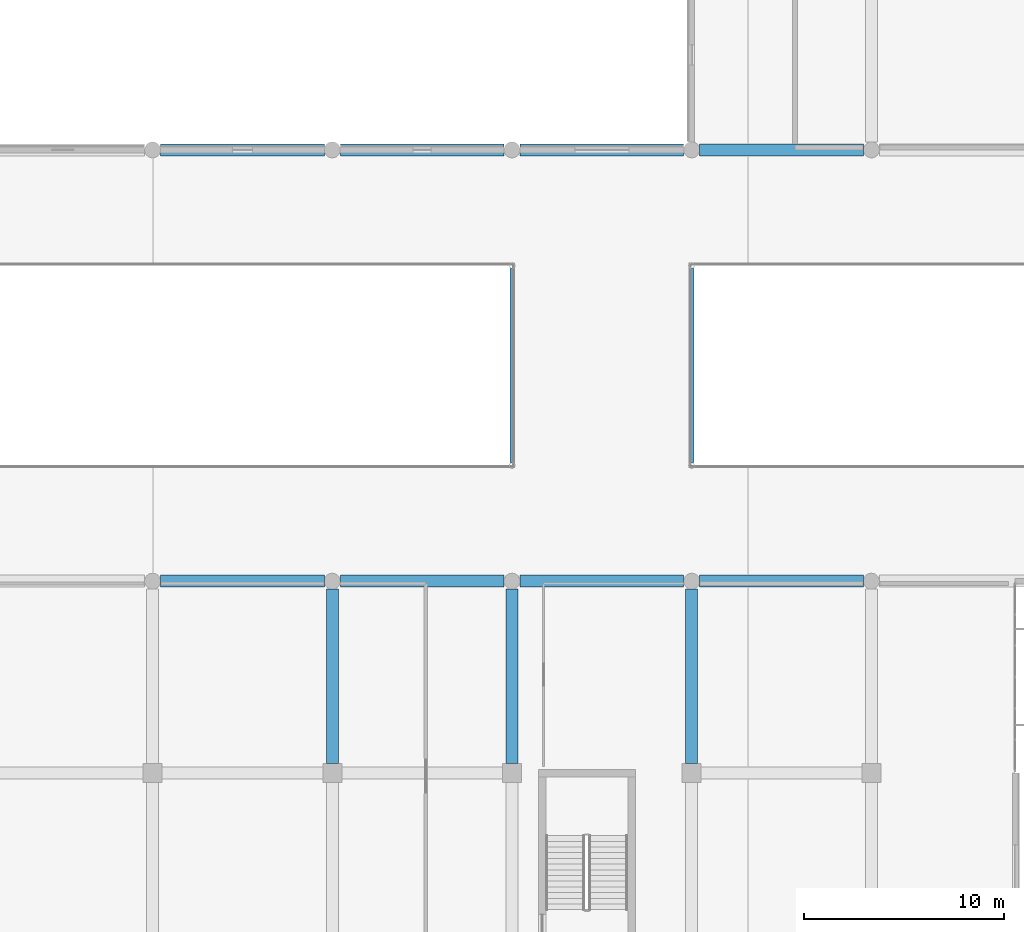
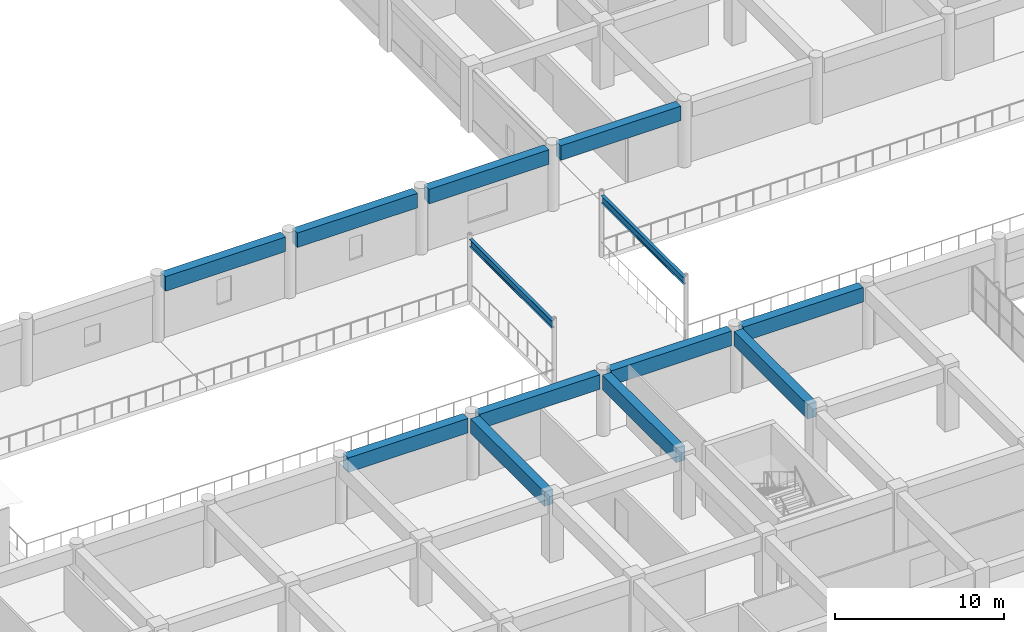
# One storey, part 25 of 86: 13 beams.
"""IFC4 building model written with IfcOpenShell, lengths in metres."""

from ifc_helpers import new_model, si_unit, direction, frame, origin, origin_2d, place, context, subcontext, project, spatial, rectangle, i_section, extrude, material, material_profile, profile_set, type_object, element, save


model = new_model("IFC4")

# Units and contexts
model_context = context("Model", 3, precision=1e-05, world=origin(), true_north=direction((0.0, 1.0)))
body_context = subcontext(model_context, "Body", "Model", "MODEL_VIEW")
ifc_project = project(units=[si_unit("LENGTHUNIT", "METRE"), si_unit("AREAUNIT", "SQUARE_METRE"), si_unit("VOLUMEUNIT", "CUBIC_METRE"), si_unit("PLANEANGLEUNIT", "RADIAN"), si_unit("MASSUNIT", "GRAM", prefix="KILO")], contexts=[model_context])

# Site, building, storey
site_placement = place(None, origin())
site = spatial("IfcSite", under=ifc_project, at=site_placement, CompositionType="ELEMENT")
building_placement = place(site_placement, origin())
building = spatial("IfcBuilding", under=site, at=building_placement, Name="Cendralis Terraced Arcade", CompositionType="ELEMENT")
storey_placement = place(building_placement, frame((0.0, 0.0, 5.39990234375)))
storey = spatial("IfcBuildingStorey", under=building, at=storey_placement, Name="L01", CompositionType="ELEMENT", Elevation=5.39990234375)

# Beams
ifc_material_1 = material(Name="Concrete f'c 35 MPa", Category="concrete")
ifc_material_profile_1 = material_profile(ifc_material_1, rectangle(XDim=0.60009765625, YDim=1.050048828125, at=origin_2d()), Name="RC-BM-600x1050", Category="LoadBearing")
ifc_profile_set_1 = profile_set([ifc_material_profile_1], Name="Concrete f'c 35 MPa")
beam_type_1 = type_object("IfcBeamType", Name="BM-600x1050", PredefinedType="JOIST", material=ifc_profile_set_1)
for number, where, z_axis, x_axis, name in (
    (1, (94.60009765625, 38.39990234375, 3.97998046875), (1.0, 0.0, 0.0), (0.0, 1.0, 0.0), "Reinforced Concrete Frame Beam BM-X-L02-E-11_12"),
    (2, (103.60009765625, 38.39990234375, 3.97998046875), (1.0, 0.0, 0.0), (0.0, 1.0, 0.0), "Reinforced Concrete Frame Beam BM-X-L02-E-12_13"),
    (3, (112.60009765625, 38.39990234375, 3.97998046875), (1.0, 0.0, 0.0), (0.0, 1.0, 0.0), "Reinforced Concrete Frame Beam BM-X-L02-E-13_14"),
    (4, (121.60009765625, 38.39990234375, 3.97998046875), (1.0, 0.0, 0.0), (0.0, 1.0, 0.0), "Reinforced Concrete Frame Beam BM-X-L02-E-14_15"),
    (5, (94.60009765625, 60.0, 3.97998046875), (1.0, 0.0, 0.0), (0.0, 1.0, 0.0), "Reinforced Concrete Frame Beam BM-X-L02-G-11_12"),
    (6, (103.60009765625, 60.0, 3.97998046875), (1.0, 0.0, 0.0), (0.0, 1.0, 0.0), "Reinforced Concrete Frame Beam BM-X-L02-G-12_13"),
    (7, (112.60009765625, 60.0, 3.97998046875), (1.0, 0.0, 0.0), (0.0, 1.0, 0.0), "Reinforced Concrete Frame Beam BM-X-L02-G-13_14"),
    (8, (121.60009765625, 60.0, 3.97998046875), (1.0, 0.0, 0.0), (0.0, 1.0, 0.0), "Reinforced Concrete Frame Beam BM-X-L02-G-14_15"),
):
    element("IfcBeam", number, at=place(storey_placement, frame(where, z_axis=z_axis, x_axis=x_axis)), inside=storey, type_object=beam_type_1, Name=name, PredefinedType="JOIST", context=body_context, shape_type="SweptSolid", body=[
        extrude(rectangle(XDim=0.60009765625, YDim=1.050048828125, at=origin_2d()), origin(), (0.0, 0.0, 1.0), 8.199951171875),
    ])
for number, where, z_axis, x_axis, name in (
    (9, (103.199951171875, 29.27490234375, 3.97998046875), (0.0, 1.0, 0.0), (-1.0, 0.0, 0.0), "Reinforced Concrete Frame Beam BM-Y-L02-12-D_E"),
    (10, (112.199951171875, 29.27490234375, 3.97998046875), (0.0, 1.0, 0.0), (-1.0, 0.0, 0.0), "Reinforced Concrete Frame Beam BM-Y-L02-13-D_E"),
    (11, (121.199951171875, 29.27490234375, 3.97998046875), (0.0, 1.0, 0.0), (-1.0, 0.0, 0.0), "Reinforced Concrete Frame Beam BM-Y-L02-14-D_E"),
):
    element("IfcBeam", number, at=place(storey_placement, frame(where, z_axis=z_axis, x_axis=x_axis)), inside=storey, type_object=beam_type_1, Name=name, PredefinedType="JOIST", context=body_context, shape_type="SweptSolid", body=[
        extrude(rectangle(XDim=0.60009765625, YDim=1.050048828125, at=origin_2d()), origin(), (0.0, 0.0, 1.0), 8.72509765625),
    ])
ifc_material_2 = material(Name="Steel ASTM A992 Grade 50", Category="steel")
ifc_material_profile_2 = material_profile(ifc_material_2, i_section(OverallWidth=0.2099609375, OverallDepth=0.537109375, WebThickness=0.010986328125, FlangeThickness=0.017333984375, FilletRadius=0.012939453125, at=origin_2d()), Name="W530X101", Category="LoadBearing")
ifc_profile_set_2 = profile_set([ifc_material_profile_2], Name="Steel ASTM A992 Grade 50")
beam_type_2 = type_object("IfcBeamType", Name="BM-LINK-W530", PredefinedType="BEAM", material=ifc_profile_set_2)
for number, where, z_axis, x_axis, name in (
    (12, (112.199951171875, 44.3349609375, 4.236572265625), (0.0, 1.0, 0.0), (-1.0, 0.0, 0.0), "Arcade Link Bridge Steel Girder BM-BRG-L02-112"),
    (13, (121.199951171875, 44.3349609375, 4.236572265625), (0.0, 1.0, 0.0), (-1.0, 0.0, 0.0), "Arcade Link Bridge Steel Girder BM-BRG-L02-121"),
):
    element("IfcBeam", number, at=place(storey_placement, frame(where, z_axis=z_axis, x_axis=x_axis)), inside=storey, type_object=beam_type_2, Name=name, PredefinedType="BEAM", context=body_context, shape_type="SweptSolid", body=[
        extrude(i_section(OverallWidth=0.2099609375, OverallDepth=0.537109375, WebThickness=0.010986328125, FlangeThickness=0.017333984375, FilletRadius=0.012939453125, at=origin_2d()), origin(), (0.0, 0.0, 1.0), 9.72998046875),
    ])

save(model, "model.ifc")
